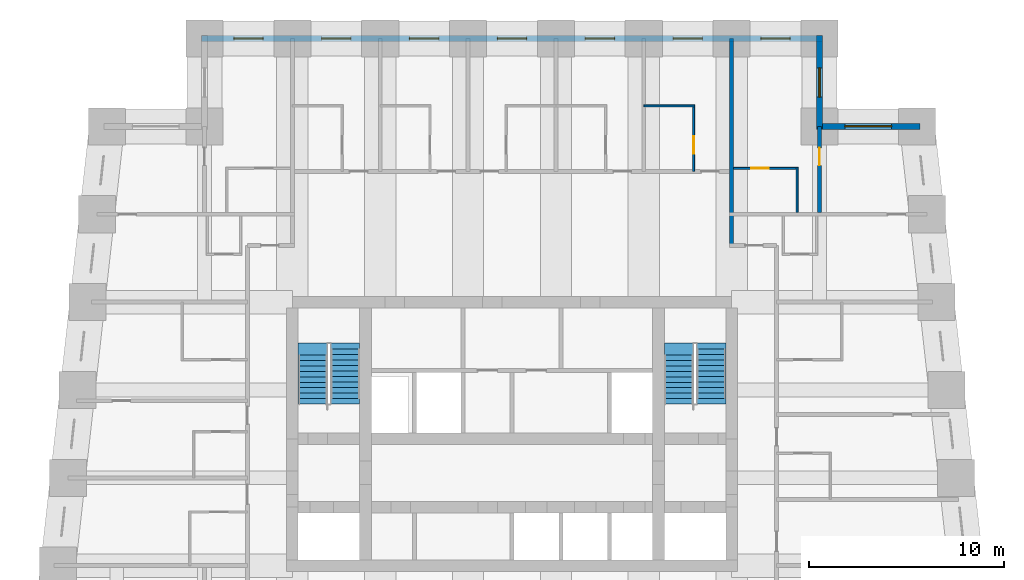
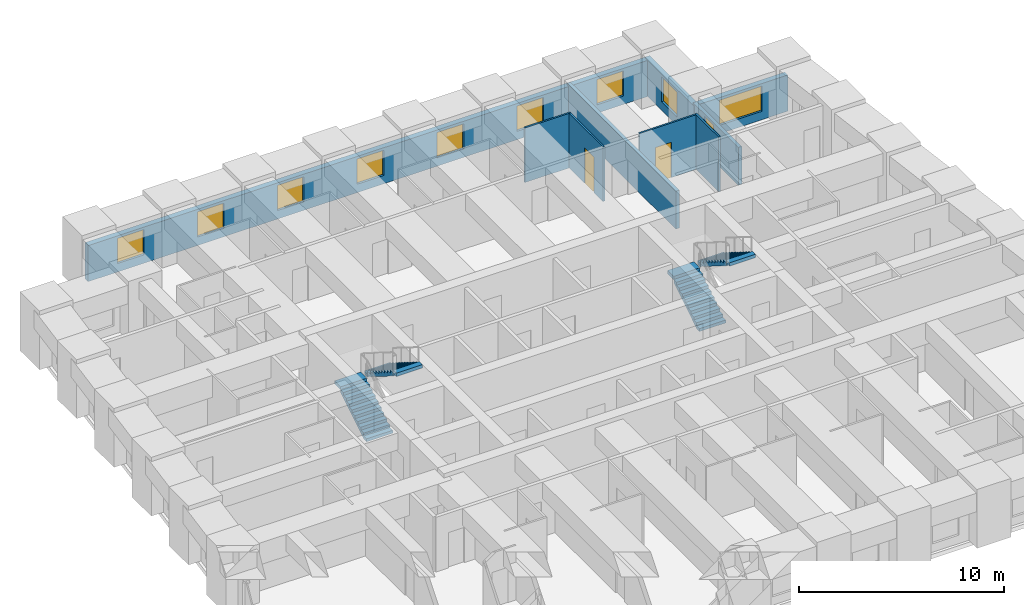
# One storey, part 7 of 8: 9 walls, 9 windows, 4 stair flights, 3 doors, 12 openings, 2 elements without a shape of their own.
"""IFC4 building model written with IfcOpenShell, lengths in metres."""

import ifcopenshell
import ifcopenshell.guid

model = None  # the IFC model being written
_history = None  # IfcOwnerHistory: only IFC2X3 demands one
_inside = {}  # id of a spatial element -> (the spatial element, [elements in it])
_under = {}  # id of a project, library or spatial element -> (it, [spatial elements below it])
_declared = {}  # id of a project -> (the project, [libraries it declares])
_typed = {}  # id of a type object -> (the type object, [elements of that type])
_made_of = {}  # id of a material, layer set ... -> (it, [elements and type objects made of it])


def new_model(schema):
    """Start an empty IFC model of exactly this schema.

    Asked for "IFC4X3", IfcOpenShell would pick the latest addendum, in which some entities
    have other attributes; the version numbers below select the first issue.
    IFC2X3 requires an IfcOwnerHistory on every rooted entity: one is made here for all.
    """
    global model, _history
    if schema == "IFC4X3":
        model = ifcopenshell.file(schema_version=(4, 3, 0, 0))
    else:
        model = ifcopenshell.file(schema=schema)
    _inside.clear()
    _under.clear()
    _declared.clear()
    _typed.clear()
    _made_of.clear()
    _history = None
    if model.schema == "IFC2X3":
        org = make("IfcOrganization", Name="unknown")
        user = make(
            "IfcPersonAndOrganization",
            ThePerson=make("IfcPerson", FamilyName="unknown"),
            TheOrganization=org,
        )
        app = make(
            "IfcApplication",
            ApplicationDeveloper=org,
            Version="unknown",
            ApplicationFullName="unknown",
            ApplicationIdentifier="unknown",
        )
        _history = make(
            "IfcOwnerHistory",
            OwningUser=user,
            OwningApplication=app,
            ChangeAction="ADDED",
            CreationDate=0,
        )
    return model


def make(cls, **values):
    """One entity of the class cls with the attributes given. An attribute that is None is left unset."""
    return model.create_entity(
        cls, **{name: value for name, value in values.items() if value is not None}
    )


def rooted(cls, **values):
    """An entity with a GlobalId (a new one), such as an element, a storey or a relation."""
    return make(cls, GlobalId=ifcopenshell.guid.new(), OwnerHistory=_history, **values)


def si_unit(unit_type, name, prefix=None):
    """IfcSIUnit, for example si_unit("LENGTHUNIT", "METRE", prefix="MILLI")."""
    return make("IfcSIUnit", UnitType=unit_type, Prefix=prefix, Name=name)


def assignment(units):
    """IfcUnitAssignment: the units of a project."""
    return None if units is None else make("IfcUnitAssignment", Units=units)


def point(xyz):
    """IfcCartesianPoint."""
    return None if xyz is None else make("IfcCartesianPoint", Coordinates=xyz)


def direction(xyz):
    """IfcDirection."""
    return None if xyz is None else make("IfcDirection", DirectionRatios=xyz)


def frame(location, z_axis=None, x_axis=None):
    """IfcAxis2Placement3D, a coordinate frame: its origin and axes. An axis left out is left unset."""
    return make(
        "IfcAxis2Placement3D",
        Location=point(location),
        Axis=direction(z_axis),
        RefDirection=direction(x_axis),
    )


def frame_2d(location, x_axis=None):
    """IfcAxis2Placement2D, a coordinate frame in the plane: its origin and x axis."""
    return make(
        "IfcAxis2Placement2D", Location=point(location), RefDirection=direction(x_axis)
    )


def origin():
    """The frame at (0, 0, 0) with its axes left unset."""
    return frame((0.0, 0.0, 0.0))


def place(relative_to, where):
    """IfcLocalPlacement: puts the frame where relative to a parent placement (None: the world)."""
    return make(
        "IfcLocalPlacement", PlacementRelTo=relative_to, RelativePlacement=where
    )


def context(
    kind, dimensions, precision=None, world=None, true_north=None, identifier=None
):
    """IfcGeometricRepresentationContext, for example the 3D "Model" context."""
    return make(
        "IfcGeometricRepresentationContext",
        ContextIdentifier=identifier,
        ContextType=kind,
        CoordinateSpaceDimension=dimensions,
        Precision=precision,
        WorldCoordinateSystem=world,
        TrueNorth=true_north,
    )


def subcontext(parent, identifier, kind, view, scale=None):
    """IfcGeometricRepresentationSubContext, for example "Body" below "Model"."""
    return make(
        "IfcGeometricRepresentationSubContext",
        ContextIdentifier=identifier,
        ContextType=kind,
        ParentContext=parent,
        TargetScale=scale,
        TargetView=view,
    )


def project(units=None, contexts=None):
    """IfcProject with its units and contexts."""
    return rooted(
        "IfcProject",
        Name="project",
        RepresentationContexts=contexts,
        UnitsInContext=assignment(units),
    )


def spatial(cls, under=None, at=None, **own):
    """A site, building, storey or space (cls), placed at a placement, below another one or the project."""
    s = rooted(cls, ObjectPlacement=at, **own)
    if under is not None:
        _under.setdefault(under.id(), (under, []))[1].append(s)
    return s


def polyline(points):
    """IfcPolyline through the points."""
    return make("IfcPolyline", Points=[point(p) for p in points])


def profile(cls, at=None, kind="AREA", **sizes):
    """A parametric profile (cls). Its sizes go by their IFC names, for example OverallWidth=200.0."""
    return make(cls, ProfileType=kind, Position=at, **sizes)


def rectangle(**sizes):
    """IfcRectangleProfileDef."""
    return profile("IfcRectangleProfileDef", **sizes)


def outline(outer, holes=None, kind="AREA"):
    """IfcArbitraryClosedProfileDef: a profile drawn as a closed curve; with holes, ...WithVoids."""
    if holes is None:
        return make("IfcArbitraryClosedProfileDef", ProfileType=kind, OuterCurve=outer)
    return make(
        "IfcArbitraryProfileDefWithVoids",
        ProfileType=kind,
        OuterCurve=outer,
        InnerCurves=holes,
    )


def extrude(swept, where, along, depth):
    """IfcExtrudedAreaSolid: the profile swept, set in the frame where, extruded along a direction by depth."""
    return make(
        "IfcExtrudedAreaSolid",
        SweptArea=swept,
        Position=where,
        ExtrudedDirection=direction(along),
        Depth=depth,
    )


def shape(context_of_items, identifier, shape_type, items):
    """IfcShapeRepresentation: the items that make up one representation, for example the "Body"."""
    return make(
        "IfcShapeRepresentation",
        ContextOfItems=context_of_items,
        RepresentationIdentifier=identifier,
        RepresentationType=shape_type,
        Items=items,
    )


def material(Name=None, Category=None):
    """IfcMaterial."""
    return make("IfcMaterial", Name=Name, Category=Category)


def layer(
    of_material, thickness, ventilated=None, Name=None, Category=None, Priority=None
):
    """IfcMaterialLayer: one layer of a wall or slab, of a material (None: an air gap)."""
    return make(
        "IfcMaterialLayer",
        Material=of_material,
        LayerThickness=thickness,
        IsVentilated=ventilated,
        Name=Name,
        Category=Category,
        Priority=Priority,
    )


def layer_set(layers, Name=None):
    """IfcMaterialLayerSet."""
    return make("IfcMaterialLayerSet", MaterialLayers=layers, LayerSetName=Name)


def made_of(thing, what):
    """Note that an element or type object is made of a material, layer set ...; save() writes the relation."""
    if what is not None:
        _made_of.setdefault(what.id(), (what, []))[1].append(thing)
    return thing


def type_object(cls, material=None, **own):
    """A type object (cls), such as IfcWallType, which elements share."""
    return made_of(rooted(cls, **own), material)


def element(
    cls,
    number,
    at=None,
    inside=None,
    cuts=None,
    type_object=None,
    material=None,
    context=None,
    identifier="Body",
    shape_type=None,
    held_by="IfcProductDefinitionShape",
    body=None,
    shapes=None,
    **own,
):
    """One element of the class cls, such as IfcWall. Its Tag is "e" and its number.

    at: its placement. inside: the storey or other place that contains it. cuts: it is an
    opening in that element (IfcRelVoidsElement). A single representation is given by context,
    identifier, shape_type and body (its items); several are given by shapes. held_by: the class
    of the entity that holds the representations. save() writes the other relations.
    """
    e = rooted(cls, Tag="e%d" % number, ObjectPlacement=at, **own)
    if body is not None:
        shapes = [shape(context, identifier, shape_type, body)]
    if shapes is not None:
        e.Representation = make(held_by, Representations=shapes)
    if inside is not None:
        _inside.setdefault(inside.id(), (inside, []))[1].append(e)
    if cuts is not None:
        rooted(
            "IfcRelVoidsElement", RelatingBuildingElement=cuts, RelatedOpeningElement=e
        )
    if type_object is not None:
        _typed.setdefault(type_object.id(), (type_object, []))[1].append(e)
    return made_of(e, material)


def fill(opening, filler):
    """IfcRelFillsElement: the door or window that sits in an opening."""
    return rooted(
        "IfcRelFillsElement",
        RelatingOpeningElement=opening,
        RelatedBuildingElement=filler,
    )


def aggregate(whole, parts):
    """IfcRelAggregates: a whole, such as a stair, and the parts it consists of."""
    return rooted("IfcRelAggregates", RelatingObject=whole, RelatedObjects=parts)


def save(model, path):
    """Write the relations noted so far, then the file.

    IfcRelAggregates (storeys below a building ...), IfcRelContainedInSpatialStructure (elements
    in a storey), IfcRelDefinesByType, IfcRelAssociatesMaterial and IfcRelDeclares: one each for
    every whole, place, type object, material and project.
    """
    for whole, parts in _under.values():
        aggregate(whole, parts)
    for where, things in _inside.values():
        rooted(
            "IfcRelContainedInSpatialStructure",
            RelatedElements=things,
            RelatingStructure=where,
        )
    for kind, things in _typed.values():
        rooted("IfcRelDefinesByType", RelatedObjects=things, RelatingType=kind)
    for what, things in _made_of.values():
        rooted("IfcRelAssociatesMaterial", RelatedObjects=things, RelatingMaterial=what)
    for by, libraries in _declared.values():
        rooted("IfcRelDeclares", RelatingContext=by, RelatedDefinitions=libraries)
    model.write(path)


model = new_model("IFC4")

# Units and contexts
model_context = context("Model", 3, precision=1e-05, world=origin(), true_north=direction((0.0, 1.0)))
body_context = subcontext(model_context, "Body", "Model", "MODEL_VIEW")
ifc_project = project(units=[si_unit("LENGTHUNIT", "METRE"), si_unit("AREAUNIT", "SQUARE_METRE"), si_unit("VOLUMEUNIT", "CUBIC_METRE"), si_unit("PLANEANGLEUNIT", "RADIAN"), si_unit("MASSUNIT", "GRAM", prefix="KILO")], contexts=[model_context])

# Site, building, storey
site_placement = place(None, origin())
site = spatial("IfcSite", under=ifc_project, at=site_placement, CompositionType="ELEMENT")
building_placement = place(site_placement, origin())
building = spatial("IfcBuilding", under=site, at=building_placement, Name="Kilele Tower Hotel", CompositionType="ELEMENT")
storey_placement = place(building_placement, frame((0.0, 0.0, 96.89990234375)))
storey = spatial("IfcBuildingStorey", under=building, at=storey_placement, Name="L24", CompositionType="ELEMENT", Elevation=96.89990234375)

# Wall
ifc_material_1 = material(Name="Moisture-resistant board")
ifc_layer_1 = layer(ifc_material_1, 0.10009765625)
ifc_layer_set_1 = layer_set([ifc_layer_1], Name="Moisture-resistant board")
wall_type_1 = type_object("IfcWallType", Name="Bathroom partition 100", PredefinedType="PLUMBINGWALL", material=ifc_layer_set_1)
wall_1_placement = place(storey_placement, frame((31.5, 37.050048828125, 0.0), z_axis=(0.0, 0.0, 1.0), x_axis=(1.0, 0.0, 0.0)))
element("IfcWall", 1, at=wall_1_placement, inside=storey, type_object=wall_type_1, Name="Bathroom partition 100 L24", PredefinedType="PLUMBINGWALL", context=body_context, shape_type="SweptSolid", body=[
    extrude(rectangle(XDim=2.60009765625, YDim=0.10009765625, at=frame_2d((1.300048828125, 0.0))), origin(), (0.0, 0.0, 1.0), 3.25),
])

# Wall, opening, door
wall_2_placement = place(storey_placement, frame((34.050048828125, 33.699951171875, 0.0), z_axis=(0.0, 0.0, 1.0), x_axis=(0.0, 1.0, 0.0)))
wall_2 = element("IfcWall", 2, at=wall_2_placement, inside=storey, type_object=wall_type_1, Name="Bathroom partition 100 L24", PredefinedType="PLUMBINGWALL", context=body_context, shape_type="SweptSolid", body=[
    extrude(rectangle(XDim=3.400146484375, YDim=0.10009765625, at=frame_2d((1.7001953125, 0.0))), origin(), (0.0, 0.0, 1.0), 3.25),
])
opening_1_placement = place(wall_2_placement, frame((1.7998046875, 0.0, 0.0), z_axis=(0.0, 0.0, 1.0), x_axis=(-1.0, 0.0, 0.0)))
opening_1 = element("IfcOpeningElement", 3, at=opening_1_placement, cuts=wall_2, Name="Opening D2A", PredefinedType="OPENING", context=body_context, shape_type="SweptSolid", body=[
    extrude(rectangle(XDim=0.89990234375, YDim=2.10009765625, at=frame_2d((0.449951171875, 1.050048828125))), frame((0.0, 0.06005859375, 0.0), z_axis=(0.0, -1.0, 0.0), x_axis=(1.0, 0.0, 0.0)), (0.0, 0.0, 1.0), 0.1201171875),
])
ifc_material_2 = material(Name="Timber door leaf in hardwood frame", Category="wood")
door_type_1 = type_object("IfcDoorType", Name="Bathroom door 900", OperationType="SINGLE_SWING_LEFT", PredefinedType="DOOR", material=ifc_material_2)
door_1_placement = place(opening_1_placement, origin())
door_1 = element("IfcDoor", 4, at=door_1_placement, inside=storey, type_object=door_type_1, Name="Bathroom door 2413B", OperationType="SINGLE_SWING_RIGHT", OverallHeight=2.10009765625, OverallWidth=0.89990234375, PredefinedType="DOOR", context=body_context, shape_type="SweptSolid", body=[
    extrude(rectangle(XDim=0.89990234375, YDim=2.10009765625, at=frame_2d((0.449951171875, 1.050048828125))), frame((0.0, 0.02490234375, 0.0), z_axis=(0.0, -1.0, 0.0), x_axis=(1.0, 0.0, 0.0)), (0.0, 0.0, 1.0), 0.050048828125),
])
fill(opening_1, door_1)

# Wall
wall_3_placement = place(storey_placement, frame((39.35009765625, 31.60009765625, 0.0), z_axis=(0.0, 0.0, 1.0), x_axis=(0.0, 1.0, 0.0)))
element("IfcWall", 5, at=wall_3_placement, inside=storey, type_object=wall_type_1, Name="Bathroom partition 100 L24", PredefinedType="PLUMBINGWALL", context=body_context, shape_type="SweptSolid", body=[
    extrude(rectangle(XDim=2.2998046875, YDim=0.10009765625, at=frame_2d((1.14990234375, 0.0))), origin(), (0.0, 0.0, 1.0), 3.25),
])

# Wall, opening, door
wall_4_placement = place(storey_placement, frame((36.10009765625, 33.85009765625, 0.0), z_axis=(0.0, 0.0, 1.0), x_axis=(1.0, 0.0, 0.0)))
wall_4 = element("IfcWall", 6, at=wall_4_placement, inside=storey, type_object=wall_type_1, Name="Bathroom partition 100 L24", PredefinedType="PLUMBINGWALL", context=body_context, shape_type="SweptSolid", body=[
    extrude(rectangle(XDim=3.2998046875, YDim=0.10009765625, at=frame_2d((1.64990234375, 0.0))), origin(), (0.0, 0.0, 1.0), 3.25),
])
opening_2_placement = place(wall_4_placement, frame((0.89990234375, 0.0, 0.0)))
opening_2 = element("IfcOpeningElement", 7, at=opening_2_placement, cuts=wall_4, Name="Opening D2A", PredefinedType="OPENING", context=body_context, shape_type="SweptSolid", body=[
    extrude(rectangle(XDim=0.89990234375, YDim=2.10009765625, at=frame_2d((0.449951171875, 1.050048828125))), frame((0.0, 0.06005859375, 0.0), z_axis=(0.0, -1.0, 0.0), x_axis=(1.0, 0.0, 0.0)), (0.0, 0.0, 1.0), 0.1201171875),
])
door_2_placement = place(opening_2_placement, origin())
door_2 = element("IfcDoor", 8, at=door_2_placement, inside=storey, type_object=door_type_1, Name="Bathroom door 2424B", OperationType="SINGLE_SWING_LEFT", OverallHeight=2.10009765625, OverallWidth=0.89990234375, PredefinedType="DOOR", context=body_context, shape_type="SweptSolid", body=[
    extrude(rectangle(XDim=0.89990234375, YDim=2.10009765625, at=frame_2d((0.449951171875, 1.050048828125))), frame((0.0, 0.02490234375, 0.0), z_axis=(0.0, -1.0, 0.0), x_axis=(1.0, 0.0, 0.0)), (0.0, 0.0, 1.0), 0.050048828125),
])
fill(opening_2, door_2)

ifc_material_3 = material(Name="Blockwork, plastered both sides", Category="masonry")
ifc_layer_2 = layer(ifc_material_3, 0.199951171875)
ifc_layer_set_2 = layer_set([ifc_layer_2], Name="Blockwork, plastered both sides")
wall_type_2 = type_object("IfcWallType", Name="Partition wall 200", PredefinedType="PARTITIONING", material=ifc_layer_set_2)
wall_5_placement = place(storey_placement, frame((40.5, 31.60009765625, 0.0), z_axis=(0.0, 0.0, 1.0), x_axis=(0.0, 1.0, 0.0)))
wall_5 = element("IfcWall", 9, at=wall_5_placement, inside=storey, type_object=wall_type_2, Name="Partition wall 200 L24", PredefinedType="PARTITIONING", context=body_context, shape_type="SweptSolid", body=[
    extrude(rectangle(XDim=4.39990234375, YDim=0.199951171875, at=frame_2d((2.199951171875, 0.0))), origin(), (0.0, 0.0, 1.0), 2.25),
])
opening_3_placement = place(wall_5_placement, frame((2.39990234375, 0.0, 0.0)))
opening_3 = element("IfcOpeningElement", 10, at=opening_3_placement, cuts=wall_5, Name="Opening D3", PredefinedType="OPENING", context=body_context, shape_type="SweptSolid", body=[
    extrude(rectangle(XDim=0.89990234375, YDim=2.10009765625, at=frame_2d((0.449951171875, 1.050048828125))), frame((0.0, 0.10986328125, 0.0), z_axis=(0.0, -1.0, 0.0), x_axis=(1.0, 0.0, 0.0)), (0.0, 0.0, 1.0), 0.219970703125),
])
ifc_material_4 = material(Name="Timber door leaf in hardwood frame", Category="wood")
door_type_2 = type_object("IfcDoorType", Name="Suite internal door 900", OperationType="SINGLE_SWING_LEFT", PredefinedType="DOOR", material=ifc_material_4)
door_3_placement = place(opening_3_placement, origin())
door_3 = element("IfcDoor", 11, at=door_3_placement, inside=storey, type_object=door_type_2, Name="Suite door 2425", OperationType="SINGLE_SWING_RIGHT", OverallHeight=2.10009765625, OverallWidth=0.89990234375, PredefinedType="DOOR", context=body_context, shape_type="SweptSolid", body=[
    extrude(rectangle(XDim=0.89990234375, YDim=2.10009765625, at=frame_2d((0.449951171875, 1.050048828125))), frame((0.0, 0.02490234375, 0.0), z_axis=(0.0, -1.0, 0.0), x_axis=(1.0, 0.0, 0.0)), (0.0, 0.0, 1.0), 0.050048828125),
])
fill(opening_3, door_3)

# Wall
ifc_material_5 = material(Name="Blockwork, plastered both sides", Category="masonry")
ifc_layer_3 = layer(ifc_material_5, 0.199951171875)
ifc_layer_set_3 = layer_set([ifc_layer_3], Name="Blockwork, plastered both sides")
wall_type_3 = type_object("IfcWallType", Name="Party wall 200", PredefinedType="PARTITIONING", material=ifc_layer_set_3)
wall_6_placement = place(storey_placement, frame((36.0, 29.89990234375, 0.0), z_axis=(0.0, 0.0, 1.0), x_axis=(0.0, 1.0, 0.0)))
element("IfcWall", 12, at=wall_6_placement, inside=storey, type_object=wall_type_3, Name="Party wall 200 L24", PredefinedType="PARTITIONING", context=body_context, shape_type="SweptSolid", body=[
    extrude(rectangle(XDim=10.60009765625, YDim=0.199951171875, at=frame_2d((5.300048828125, 0.0))), origin(), (0.0, 0.0, 1.0), 2.25),
])

# Wall, opening, window
ifc_material_6 = material(Name="Concrete C40/50 precast", Category="concrete")
ifc_layer_4 = layer(ifc_material_6, 0.260009765625, Name="Precast backing", Category="LoadBearing")
ifc_material_7 = material(Name="Reconstituted stone finish", Category="masonry")
ifc_layer_5 = layer(ifc_material_7, 0.0400390625, Name="Face mix", Category="Finish")
ifc_layer_set_4 = layer_set([ifc_layer_4, ifc_layer_5], Name="Precast concrete C40/50, reconstituted stone finish")
wall_type_4 = type_object("IfcWallType", Name="Precast stone facade wall 300", PredefinedType="STANDARD", material=ifc_layer_set_4)
wall_7_placement = place(storey_placement, frame((45.64990234375, 36.0, 0.0), z_axis=(0.0, 0.0, 1.0), x_axis=(-1.0, 0.0, 0.0)))
wall_7 = element("IfcWall", 13, at=wall_7_placement, inside=storey, type_object=wall_type_4, Name="Facade wall L24 edge 7", PredefinedType="STANDARD", context=body_context, shape_type="SweptSolid", body=[
    extrude(rectangle(XDim=5.2998046875, YDim=0.300048828125, at=frame_2d((2.64990234375, 0.0))), origin(), (0.0, 0.0, 1.0), 2.150146484375),
])
opening_4_placement = place(wall_7_placement, frame((1.449951171875, 0.0, 0.5)))
opening_4 = element("IfcOpeningElement", 14, at=opening_4_placement, cuts=wall_7, Name="Opening W2", PredefinedType="OPENING", context=body_context, shape_type="SweptSolid", body=[
    extrude(rectangle(XDim=2.39990234375, YDim=1.5, at=frame_2d((1.199951171875, 0.75))), frame((0.0, 0.159912109375, 0.0), z_axis=(0.0, -1.0, 0.0), x_axis=(1.0, 0.0, 0.0)), (0.0, 0.0, 1.0), 0.320068359375),
])
ifc_material_8 = material(Name="Aluminium frame, clear double glazing", Category="aluminium")
window_type_1 = type_object("IfcWindowType", Name="Window W2 2400 x 1500", PartitioningType="SINGLE_PANEL", PredefinedType="WINDOW", material=ifc_material_8)
window_1_placement = place(opening_4_placement, origin())
window_1 = element("IfcWindow", 15, at=window_1_placement, inside=storey, type_object=window_type_1, Name="Window L24", OverallHeight=1.5, OverallWidth=2.39990234375, PartitioningType="SINGLE_PANEL", PredefinedType="WINDOW", context=body_context, shape_type="SweptSolid", body=[
    extrude(rectangle(XDim=2.39990234375, YDim=1.5, at=frame_2d((1.199951171875, 0.75))), frame((0.0, 0.030029296875, 0.0), z_axis=(0.0, -1.0, 0.0), x_axis=(1.0, 0.0, 0.0)), (0.0, 0.0, 1.0), 0.06005859375),
])
fill(opening_4, window_1)

wall_8_placement = place(storey_placement, frame((40.5, 35.85009765625, 0.0), z_axis=(0.0, 0.0, 1.0), x_axis=(0.0, 1.0, 0.0)))
wall_8 = element("IfcWall", 16, at=wall_8_placement, inside=storey, type_object=wall_type_4, Name="Facade wall L24 edge 8", PredefinedType="STANDARD", context=body_context, shape_type="SweptSolid", body=[
    extrude(rectangle(XDim=4.7998046875, YDim=0.300048828125, at=frame_2d((2.39990234375, 0.0))), origin(), (0.0, 0.0, 1.0), 2.150146484375),
])
opening_5_placement = place(wall_8_placement, frame((1.64990234375, 0.0, 0.5)))
opening_5 = element("IfcOpeningElement", 17, at=opening_5_placement, cuts=wall_8, Name="Opening W2", PredefinedType="OPENING", context=body_context, shape_type="SweptSolid", body=[
    extrude(rectangle(XDim=1.5, YDim=1.5, at=frame_2d((0.75, 0.75))), frame((0.0, 0.159912109375, 0.0), z_axis=(0.0, -1.0, 0.0), x_axis=(1.0, 0.0, 0.0)), (0.0, 0.0, 1.0), 0.320068359375),
])
ifc_material_9 = material(Name="Aluminium frame, clear double glazing", Category="aluminium")
window_type_2 = type_object("IfcWindowType", Name="Window W2 1500 x 1500", PartitioningType="SINGLE_PANEL", PredefinedType="WINDOW", material=ifc_material_9)
window_2_placement = place(opening_5_placement, origin())
window_2 = element("IfcWindow", 18, at=window_2_placement, inside=storey, type_object=window_type_2, Name="Window L24", OverallHeight=1.5, OverallWidth=1.5, PartitioningType="SINGLE_PANEL", PredefinedType="WINDOW", context=body_context, shape_type="SweptSolid", body=[
    extrude(rectangle(XDim=1.5, YDim=1.5, at=frame_2d((0.75, 0.75))), frame((0.0, 0.030029296875, 0.0), z_axis=(0.0, -1.0, 0.0), x_axis=(1.0, 0.0, 0.0)), (0.0, 0.0, 1.0), 0.06005859375),
])
fill(opening_5, window_2)

# Wall, openings, windows
wall_9_placement = place(storey_placement, frame((40.64990234375, 40.5, 0.0), z_axis=(0.0, 0.0, 1.0), x_axis=(-1.0, 0.0, 0.0)))
wall_9 = element("IfcWall", 19, at=wall_9_placement, inside=storey, type_object=wall_type_4, Name="Facade wall L24 edge 9", PredefinedType="STANDARD", context=body_context, shape_type="SweptSolid", body=[
    extrude(rectangle(XDim=31.7998046875, YDim=0.300048828125, at=frame_2d((15.89990234375, 0.0))), origin(), (0.0, 0.0, 1.0), 2.150146484375),
])
opening_6_placement = place(wall_9_placement, frame((1.64990234375, 0.0, 0.5)))
opening_6 = element("IfcOpeningElement", 20, at=opening_6_placement, cuts=wall_9, Name="Opening W2", PredefinedType="OPENING", context=body_context, shape_type="SweptSolid", body=[
    extrude(rectangle(XDim=1.5, YDim=1.5, at=frame_2d((0.75, 0.75))), frame((0.0, 0.159912109375, 0.0), z_axis=(0.0, -1.0, 0.0), x_axis=(1.0, 0.0, 0.0)), (0.0, 0.0, 1.0), 0.320068359375),
])
opening_7_placement = place(wall_9_placement, frame((6.14990234375, 0.0, 0.5)))
opening_7 = element("IfcOpeningElement", 21, at=opening_7_placement, cuts=wall_9, Name="Opening W2", PredefinedType="OPENING", context=body_context, shape_type="SweptSolid", body=[
    extrude(rectangle(XDim=1.5, YDim=1.5, at=frame_2d((0.75, 0.75))), frame((0.0, 0.159912109375, 0.0), z_axis=(0.0, -1.0, 0.0), x_axis=(1.0, 0.0, 0.0)), (0.0, 0.0, 1.0), 0.320068359375),
])
opening_8_placement = place(wall_9_placement, frame((10.64990234375, 0.0, 0.5)))
opening_8 = element("IfcOpeningElement", 22, at=opening_8_placement, cuts=wall_9, Name="Opening W2", PredefinedType="OPENING", context=body_context, shape_type="SweptSolid", body=[
    extrude(rectangle(XDim=1.5, YDim=1.5, at=frame_2d((0.75, 0.75))), frame((0.0, 0.159912109375, 0.0), z_axis=(0.0, -1.0, 0.0), x_axis=(1.0, 0.0, 0.0)), (0.0, 0.0, 1.0), 0.320068359375),
])
opening_9_placement = place(wall_9_placement, frame((15.14990234375, 0.0, 0.5)))
opening_9 = element("IfcOpeningElement", 23, at=opening_9_placement, cuts=wall_9, Name="Opening W2", PredefinedType="OPENING", context=body_context, shape_type="SweptSolid", body=[
    extrude(rectangle(XDim=1.5, YDim=1.5, at=frame_2d((0.75, 0.75))), frame((0.0, 0.159912109375, 0.0), z_axis=(0.0, -1.0, 0.0), x_axis=(1.0, 0.0, 0.0)), (0.0, 0.0, 1.0), 0.320068359375),
])
opening_10_placement = place(wall_9_placement, frame((19.64990234375, 0.0, 0.5)))
opening_10 = element("IfcOpeningElement", 24, at=opening_10_placement, cuts=wall_9, Name="Opening W2", PredefinedType="OPENING", context=body_context, shape_type="SweptSolid", body=[
    extrude(rectangle(XDim=1.5, YDim=1.5, at=frame_2d((0.75, 0.75))), frame((0.0, 0.159912109375, 0.0), z_axis=(0.0, -1.0, 0.0), x_axis=(1.0, 0.0, 0.0)), (0.0, 0.0, 1.0), 0.320068359375),
])
opening_11_placement = place(wall_9_placement, frame((24.14990234375, 0.0, 0.5)))
opening_11 = element("IfcOpeningElement", 25, at=opening_11_placement, cuts=wall_9, Name="Opening W2", PredefinedType="OPENING", context=body_context, shape_type="SweptSolid", body=[
    extrude(rectangle(XDim=1.5, YDim=1.5, at=frame_2d((0.75, 0.75))), frame((0.0, 0.159912109375, 0.0), z_axis=(0.0, -1.0, 0.0), x_axis=(1.0, 0.0, 0.0)), (0.0, 0.0, 1.0), 0.320068359375),
])
opening_12_placement = place(wall_9_placement, frame((28.64990234375, 0.0, 0.5)))
opening_12 = element("IfcOpeningElement", 26, at=opening_12_placement, cuts=wall_9, Name="Opening W2", PredefinedType="OPENING", context=body_context, shape_type="SweptSolid", body=[
    extrude(rectangle(XDim=1.5, YDim=1.5, at=frame_2d((0.75, 0.75))), frame((0.0, 0.159912109375, 0.0), z_axis=(0.0, -1.0, 0.0), x_axis=(1.0, 0.0, 0.0)), (0.0, 0.0, 1.0), 0.320068359375),
])
window_3_placement = place(opening_6_placement, origin())
window_3 = element("IfcWindow", 27, at=window_3_placement, inside=storey, type_object=window_type_2, Name="Window L24", OverallHeight=1.5, OverallWidth=1.5, PartitioningType="SINGLE_PANEL", PredefinedType="WINDOW", context=body_context, shape_type="SweptSolid", body=[
    extrude(rectangle(XDim=1.5, YDim=1.5, at=frame_2d((0.75, 0.75))), frame((0.0, 0.030029296875, 0.0), z_axis=(0.0, -1.0, 0.0), x_axis=(1.0, 0.0, 0.0)), (0.0, 0.0, 1.0), 0.06005859375),
])
fill(opening_6, window_3)
window_4_placement = place(opening_7_placement, origin())
window_4 = element("IfcWindow", 28, at=window_4_placement, inside=storey, type_object=window_type_2, Name="Window L24", OverallHeight=1.5, OverallWidth=1.5, PartitioningType="SINGLE_PANEL", PredefinedType="WINDOW", context=body_context, shape_type="SweptSolid", body=[
    extrude(rectangle(XDim=1.5, YDim=1.5, at=frame_2d((0.75, 0.75))), frame((0.0, 0.030029296875, 0.0), z_axis=(0.0, -1.0, 0.0), x_axis=(1.0, 0.0, 0.0)), (0.0, 0.0, 1.0), 0.06005859375),
])
fill(opening_7, window_4)
window_5_placement = place(opening_8_placement, origin())
window_5 = element("IfcWindow", 29, at=window_5_placement, inside=storey, type_object=window_type_2, Name="Window L24", OverallHeight=1.5, OverallWidth=1.5, PartitioningType="SINGLE_PANEL", PredefinedType="WINDOW", context=body_context, shape_type="SweptSolid", body=[
    extrude(rectangle(XDim=1.5, YDim=1.5, at=frame_2d((0.75, 0.75))), frame((0.0, 0.030029296875, 0.0), z_axis=(0.0, -1.0, 0.0), x_axis=(1.0, 0.0, 0.0)), (0.0, 0.0, 1.0), 0.06005859375),
])
fill(opening_8, window_5)
window_6_placement = place(opening_9_placement, origin())
window_6 = element("IfcWindow", 30, at=window_6_placement, inside=storey, type_object=window_type_2, Name="Window L24", OverallHeight=1.5, OverallWidth=1.5, PartitioningType="SINGLE_PANEL", PredefinedType="WINDOW", context=body_context, shape_type="SweptSolid", body=[
    extrude(rectangle(XDim=1.5, YDim=1.5, at=frame_2d((0.75, 0.75))), frame((0.0, 0.030029296875, 0.0), z_axis=(0.0, -1.0, 0.0), x_axis=(1.0, 0.0, 0.0)), (0.0, 0.0, 1.0), 0.06005859375),
])
fill(opening_9, window_6)
window_7_placement = place(opening_10_placement, origin())
window_7 = element("IfcWindow", 31, at=window_7_placement, inside=storey, type_object=window_type_2, Name="Window L24", OverallHeight=1.5, OverallWidth=1.5, PartitioningType="SINGLE_PANEL", PredefinedType="WINDOW", context=body_context, shape_type="SweptSolid", body=[
    extrude(rectangle(XDim=1.5, YDim=1.5, at=frame_2d((0.75, 0.75))), frame((0.0, 0.030029296875, 0.0), z_axis=(0.0, -1.0, 0.0), x_axis=(1.0, 0.0, 0.0)), (0.0, 0.0, 1.0), 0.06005859375),
])
fill(opening_10, window_7)
window_8_placement = place(opening_11_placement, origin())
window_8 = element("IfcWindow", 32, at=window_8_placement, inside=storey, type_object=window_type_2, Name="Window L24", OverallHeight=1.5, OverallWidth=1.5, PartitioningType="SINGLE_PANEL", PredefinedType="WINDOW", context=body_context, shape_type="SweptSolid", body=[
    extrude(rectangle(XDim=1.5, YDim=1.5, at=frame_2d((0.75, 0.75))), frame((0.0, 0.030029296875, 0.0), z_axis=(0.0, -1.0, 0.0), x_axis=(1.0, 0.0, 0.0)), (0.0, 0.0, 1.0), 0.06005859375),
])
fill(opening_11, window_8)
window_9_placement = place(opening_12_placement, origin())
window_9 = element("IfcWindow", 33, at=window_9_placement, inside=storey, type_object=window_type_2, Name="Window L24", OverallHeight=1.5, OverallWidth=1.5, PartitioningType="SINGLE_PANEL", PredefinedType="WINDOW", context=body_context, shape_type="SweptSolid", body=[
    extrude(rectangle(XDim=1.5, YDim=1.5, at=frame_2d((0.75, 0.75))), frame((0.0, 0.030029296875, 0.0), z_axis=(0.0, -1.0, 0.0), x_axis=(1.0, 0.0, 0.0)), (0.0, 0.0, 1.0), 0.06005859375),
])
fill(opening_12, window_9)

# Stair, stair flights
ifc_material_10 = material(Name="Precast concrete C40/50", Category="concrete")
stair_type = type_object("IfcStairType", Name="Stair 1475 x 3500", PredefinedType="HALF_TURN_STAIR", material=ifc_material_10)
stair_1_placement = place(storey_placement, origin())
stair_1 = element("IfcStair", 34, at=stair_1_placement, inside=storey, type_object=stair_type, Name="Stair 1 L24", PredefinedType="HALF_TURN_STAIR")
ifc_material_11 = material(Name="Precast concrete C40/50", Category="concrete")
stair_flight_type = type_object("IfcStairFlightType", Name="Flight 1475 riser 175.0", PredefinedType="STRAIGHT", material=ifc_material_11)
stair_flight_1_placement = place(storey_placement, frame((14.53759765625, 21.77490234375, 0.0), z_axis=(0.0, 0.0, 1.0), x_axis=(0.0, 1.0, 0.0)))
stair_flight_1 = element("IfcStairFlight", 35, at=stair_flight_1_placement, type_object=stair_flight_type, Name="ST1 flight 1", NumberOfRisers=10, NumberOfTreads=9, PredefinedType="STRAIGHT", RiserHeight=0.175, TreadLength=0.28, context=body_context, shape_type="SweptSolid", body=[
    extrude(outline(polyline([(0.0, 0.0), (0.0, 0.175048828125), (0.280029296875, 0.175048828125), (0.280029296875, 0.35009765625), (0.56005859375, 0.35009765625), (0.56005859375, 0.52490234375), (0.840087890625, 0.52490234375), (0.840087890625, 0.699951171875), (1.1201171875, 0.699951171875), (1.1201171875, 0.875), (1.39990234375, 0.875), (1.39990234375, 1.050048828125), (1.679931640625, 1.050048828125), (1.679931640625, 1.22509765625), (1.9599609375, 1.22509765625), (1.9599609375, 1.39990234375), (2.239990234375, 1.39990234375), (2.239990234375, 1.574951171875), (2.52001953125, 1.574951171875), (2.52001953125, 1.75), (2.52001953125, 1.398193359375), (0.28271484375, 0.0), (0.0, 0.0)])), frame((0.0, 0.737548828125, 0.0), z_axis=(0.0, -1.0, 0.0), x_axis=(1.0, 0.0, 0.0)), (0.0, 0.0, 1.0), 1.47509765625),
    extrude(outline(polyline([(2.52001953125, 0.737548828125), (2.52001953125, -0.7373046875), (3.1201171875, -0.7373046875), (3.1201171875, 0.737548828125), (2.52001953125, 0.737548828125)])), frame((0.0, 0.0, 1.550048828125)), (0.0, 0.0, 1.0), 0.199951171875),
])
stair_flight_2_placement = place(storey_placement, frame((16.21240234375, 24.594970703125, 1.75), z_axis=(0.0, 0.0, 1.0), x_axis=(0.0, -1.0, 0.0)))
stair_flight_2 = element("IfcStairFlight", 36, at=stair_flight_2_placement, type_object=stair_flight_type, Name="ST1 flight 2", NumberOfRisers=10, NumberOfTreads=9, PredefinedType="STRAIGHT", RiserHeight=0.175, TreadLength=0.28, context=body_context, shape_type="SweptSolid", body=[
    extrude(outline(polyline([(0.0, 0.0), (0.0, 0.175048828125), (0.280029296875, 0.175048828125), (0.280029296875, 0.35009765625), (0.56005859375, 0.35009765625), (0.56005859375, 0.52490234375), (0.840087890625, 0.52490234375), (0.840087890625, 0.699951171875), (1.1201171875, 0.699951171875), (1.1201171875, 0.875), (1.39990234375, 0.875), (1.39990234375, 1.050048828125), (1.679931640625, 1.050048828125), (1.679931640625, 1.22509765625), (1.9599609375, 1.22509765625), (1.9599609375, 1.39990234375), (2.239990234375, 1.39990234375), (2.239990234375, 1.574951171875), (2.52001953125, 1.574951171875), (2.52001953125, 1.75), (2.52001953125, 1.398193359375), (0.28271484375, 0.0), (0.0, 0.0)])), frame((0.0, 0.737548828125, 0.0), z_axis=(0.0, -1.0, 0.0), x_axis=(1.0, 0.0, 0.0)), (0.0, 0.0, 1.0), 1.47509765625),
    extrude(outline(polyline([(0.0, -0.7373046875), (0.0, 0.737548828125), (-0.300048828125, 0.737548828125), (-0.300048828125, -0.7373046875), (0.0, -0.7373046875)])), frame((0.0, 0.0, -0.199951171875)), (0.0, 0.0, 1.0), 0.199951171875),
    extrude(outline(polyline([(2.820068359375, -0.7373046875), (2.820068359375, 0.737548828125), (2.52001953125, 0.737548828125), (2.52001953125, -0.7373046875), (2.820068359375, -0.7373046875)])), frame((0.0, 0.0, 1.550048828125)), (0.0, 0.0, 1.0), 0.199951171875),
])
aggregate(stair_1, [stair_flight_1, stair_flight_2])

stair_2_placement = place(storey_placement, origin())
stair_2 = element("IfcStair", 37, at=stair_2_placement, inside=storey, type_object=stair_type, Name="Stair 2 L24", PredefinedType="HALF_TURN_STAIR")
stair_flight_3_placement = place(storey_placement, frame((33.28759765625, 21.77490234375, 0.0), z_axis=(0.0, 0.0, 1.0), x_axis=(0.0, 1.0, 0.0)))
stair_flight_3 = element("IfcStairFlight", 38, at=stair_flight_3_placement, type_object=stair_flight_type, Name="ST2 flight 1", NumberOfRisers=10, NumberOfTreads=9, PredefinedType="STRAIGHT", RiserHeight=0.175, TreadLength=0.28, context=body_context, shape_type="SweptSolid", body=[
    extrude(outline(polyline([(0.0, 0.0), (0.0, 0.175048828125), (0.280029296875, 0.175048828125), (0.280029296875, 0.35009765625), (0.56005859375, 0.35009765625), (0.56005859375, 0.52490234375), (0.840087890625, 0.52490234375), (0.840087890625, 0.699951171875), (1.1201171875, 0.699951171875), (1.1201171875, 0.875), (1.39990234375, 0.875), (1.39990234375, 1.050048828125), (1.679931640625, 1.050048828125), (1.679931640625, 1.22509765625), (1.9599609375, 1.22509765625), (1.9599609375, 1.39990234375), (2.239990234375, 1.39990234375), (2.239990234375, 1.574951171875), (2.52001953125, 1.574951171875), (2.52001953125, 1.75), (2.52001953125, 1.398193359375), (0.28271484375, 0.0), (0.0, 0.0)])), frame((0.0, 0.737548828125, 0.0), z_axis=(0.0, -1.0, 0.0), x_axis=(1.0, 0.0, 0.0)), (0.0, 0.0, 1.0), 1.47509765625),
    extrude(outline(polyline([(2.52001953125, 0.737548828125), (2.52001953125, -0.7373046875), (3.1201171875, -0.7373046875), (3.1201171875, 0.737548828125), (2.52001953125, 0.737548828125)])), frame((0.0, 0.0, 1.550048828125)), (0.0, 0.0, 1.0), 0.199951171875),
])
stair_flight_4_placement = place(storey_placement, frame((34.96240234375, 24.594970703125, 1.75), z_axis=(0.0, 0.0, 1.0), x_axis=(0.0, -1.0, 0.0)))
stair_flight_4 = element("IfcStairFlight", 39, at=stair_flight_4_placement, type_object=stair_flight_type, Name="ST2 flight 2", NumberOfRisers=10, NumberOfTreads=9, PredefinedType="STRAIGHT", RiserHeight=0.175, TreadLength=0.28, context=body_context, shape_type="SweptSolid", body=[
    extrude(outline(polyline([(0.0, 0.0), (0.0, 0.175048828125), (0.280029296875, 0.175048828125), (0.280029296875, 0.35009765625), (0.56005859375, 0.35009765625), (0.56005859375, 0.52490234375), (0.840087890625, 0.52490234375), (0.840087890625, 0.699951171875), (1.1201171875, 0.699951171875), (1.1201171875, 0.875), (1.39990234375, 0.875), (1.39990234375, 1.050048828125), (1.679931640625, 1.050048828125), (1.679931640625, 1.22509765625), (1.9599609375, 1.22509765625), (1.9599609375, 1.39990234375), (2.239990234375, 1.39990234375), (2.239990234375, 1.574951171875), (2.52001953125, 1.574951171875), (2.52001953125, 1.75), (2.52001953125, 1.398193359375), (0.28271484375, 0.0), (0.0, 0.0)])), frame((0.0, 0.737548828125, 0.0), z_axis=(0.0, -1.0, 0.0), x_axis=(1.0, 0.0, 0.0)), (0.0, 0.0, 1.0), 1.47509765625),
    extrude(outline(polyline([(0.0, -0.7373046875), (0.0, 0.737548828125), (-0.300048828125, 0.737548828125), (-0.300048828125, -0.7373046875), (0.0, -0.7373046875)])), frame((0.0, 0.0, -0.199951171875)), (0.0, 0.0, 1.0), 0.199951171875),
    extrude(outline(polyline([(2.820068359375, -0.7373046875), (2.820068359375, 0.737548828125), (2.52001953125, 0.737548828125), (2.52001953125, -0.7373046875), (2.820068359375, -0.7373046875)])), frame((0.0, 0.0, 1.550048828125)), (0.0, 0.0, 1.0), 0.199951171875),
])
aggregate(stair_2, [stair_flight_3, stair_flight_4])

save(model, "model.ifc")
